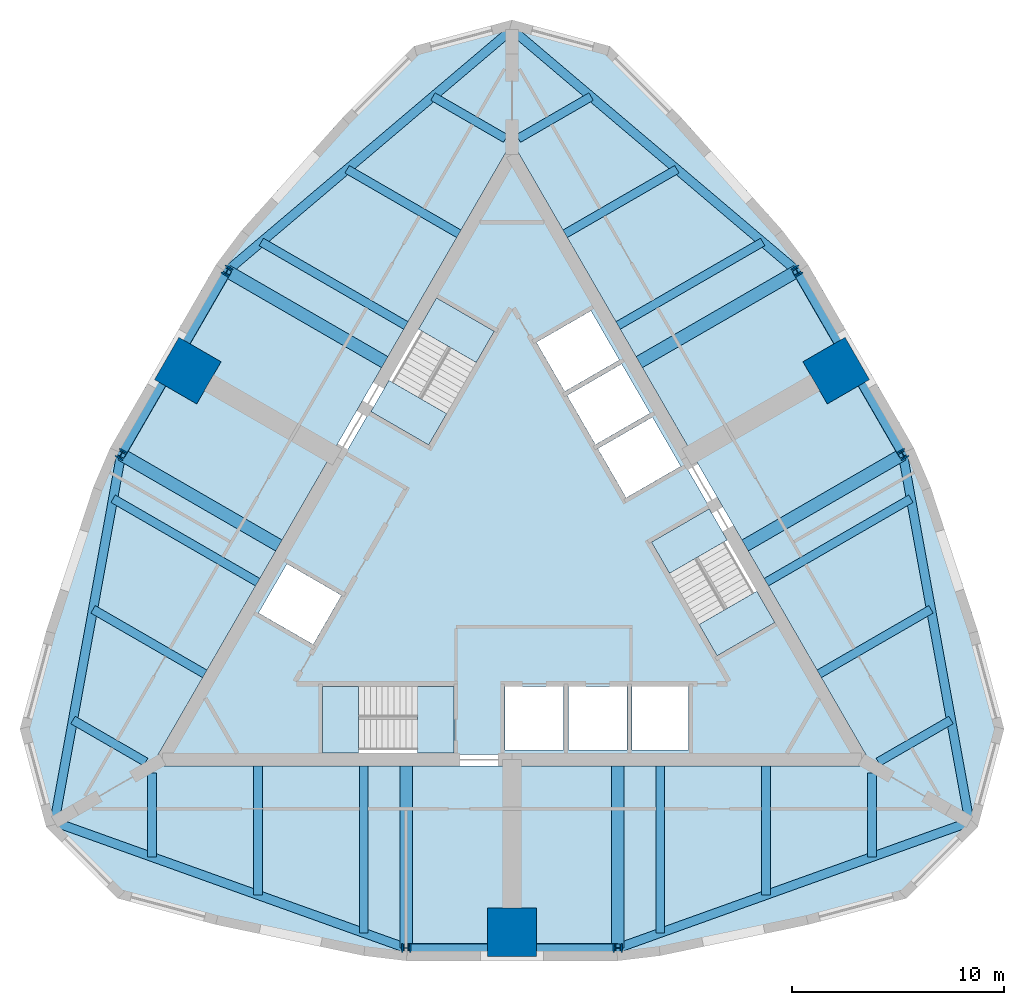
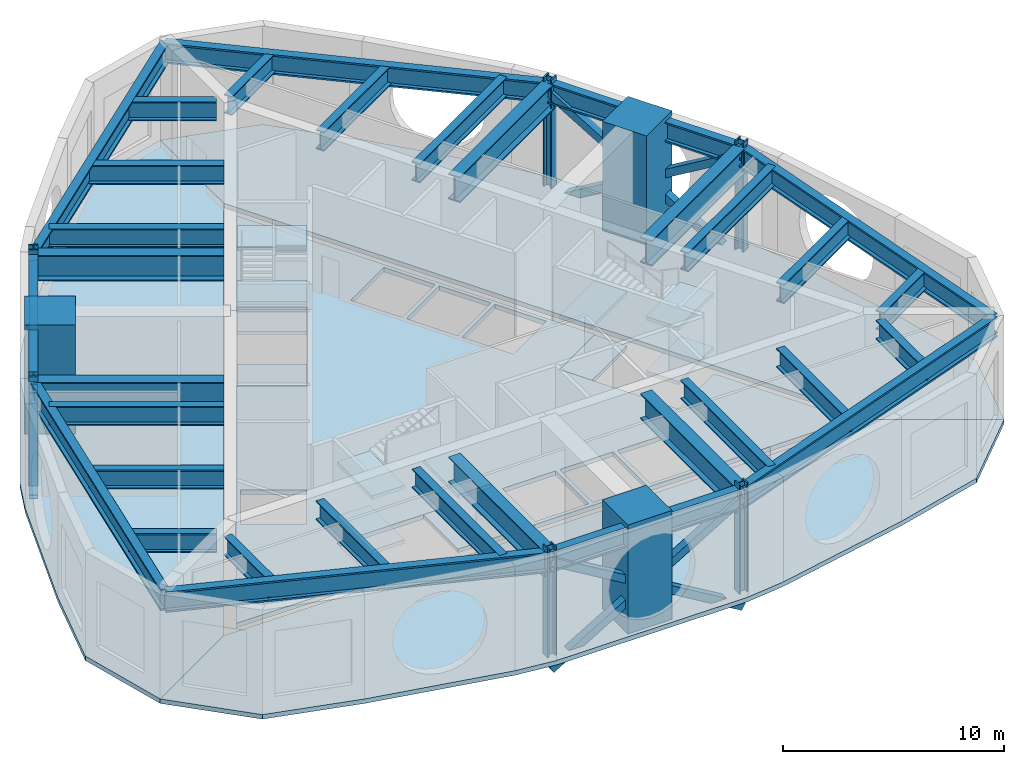
# One storey, part 1 of 6: 33 beams, 16 slabs, 9 columns, 6 members, 3 elements without a shape of their own.
"""IFC4 building model written with IfcOpenShell, lengths in metres."""

from ifc_helpers import new_model, si_unit, direction, frame, origin, origin_2d, place, context, subcontext, project, spatial, polyline, rectangle, hollow_rectangle, i_section, outline, extrude, material, layer, layer_set, material_profile, profile_set, type_object, element, aggregate, save


model = new_model("IFC4")

# Units and contexts
model_context = context("Model", 3, precision=1e-05, world=origin(), true_north=direction((0.0, 1.0)))
body_context = subcontext(model_context, "Body", "Model", "MODEL_VIEW")
ifc_project = project(units=[si_unit("LENGTHUNIT", "METRE"), si_unit("AREAUNIT", "SQUARE_METRE"), si_unit("VOLUMEUNIT", "CUBIC_METRE"), si_unit("PLANEANGLEUNIT", "RADIAN"), si_unit("MASSUNIT", "GRAM", prefix="KILO")], contexts=[model_context])

# Site, building, storey
site_placement = place(None, origin())
site = spatial("IfcSite", under=ifc_project, at=site_placement, CompositionType="ELEMENT")
building_placement = place(site_placement, origin())
building = spatial("IfcBuilding", under=site, at=building_placement, Name="Trikona Tower", CompositionType="ELEMENT")
storey_placement = place(building_placement, frame((0.0, 0.0, 275.300048828125)))
storey = spatial("IfcBuildingStorey", under=building, at=storey_placement, Name="L73", CompositionType="ELEMENT", Elevation=275.300048828125)

# Columns
ifc_material_1 = material(Name="Concrete f'c 10000 psi with encased steel section", Category="concrete")
ifc_material_profile_1 = material_profile(ifc_material_1, rectangle(XDim=2.300048828125, YDim=2.300048828125, at=origin_2d()), Name="MC2300")
ifc_profile_set_1 = profile_set([ifc_material_profile_1], Name="Concrete f'c 10000 psi with encased steel section")
column_type_1 = type_object("IfcColumnType", Name="Composite mega column 2300x2300", PredefinedType="COLUMN", material=ifc_profile_set_1)
for number, where, z_axis, x_axis, name in (
    (1, (0.0, -17.680419921875, 0.0), (0.0, 0.0, 1.0), (0.0, -1.0, 0.0), "Mega column MC1"),
    (2, (15.311767578125, 8.84033203125, 0.0), (0.0, 0.0, 1.0), (0.866025403784, 0.5, 0.0), "Mega column MC2"),
    (3, (-15.311767578125, 8.84033203125, 0.0), (0.0, 0.0, 1.0), (-0.866025403784, 0.5, 0.0), "Mega column MC3"),
):
    element("IfcColumn", number, at=place(storey_placement, frame(where, z_axis=z_axis, x_axis=x_axis)), inside=storey, type_object=column_type_1, Name=name, PredefinedType="COLUMN", context=body_context, shape_type="SweptSolid", body=[
        extrude(rectangle(XDim=2.300048828125, YDim=2.300048828125, at=origin_2d()), origin(), (0.0, 0.0, 1.0), 6.0),
    ])
ifc_material_2 = material(Name="Steel ASTM A992 Grade 50", Category="steel")
ifc_material_profile_2 = material_profile(ifc_material_2, i_section(OverallWidth=0.419189453125, OverallDepth=0.45458984375, WebThickness=0.042236328125, FlangeThickness=0.067626953125, at=origin_2d()), Name="W14X370")
ifc_profile_set_2 = profile_set([ifc_material_profile_2], Name="Steel ASTM A992 Grade 50")
column_type_2 = type_object("IfcColumnType", Name="Steel column W14x370", PredefinedType="COLUMN", material=ifc_profile_set_2)
for number, where, z_axis, x_axis, name in (
    (4, (-5.0, -18.430419921875, 0.0), (0.0, 0.0, 1.0), (0.0, -1.0, 0.0), "Column F0m5"),
    (5, (5.0, -18.430419921875, 0.0), (0.0, 0.0, 1.0), (0.0, -1.0, 0.0), "Column F0p5"),
    (6, (18.461181640625, 4.885009765625, 0.0), (0.0, 0.0, 1.0), (0.866025403784, 0.5, 0.0), "Column F1m5"),
    (7, (13.461181640625, 13.54541015625, 0.0), (0.0, 0.0, 1.0), (0.866025403784, 0.5, 0.0), "Column F1p5"),
    (8, (-13.461181640625, 13.54541015625, 0.0), (0.0, 0.0, 1.0), (-0.866025403784, 0.5, 0.0), "Column F2m5"),
    (9, (-18.461181640625, 4.885009765625, 0.0), (0.0, 0.0, 1.0), (-0.866025403784, 0.5, 0.0), "Column F2p5"),
):
    element("IfcColumn", number, at=place(storey_placement, frame(where, z_axis=z_axis, x_axis=x_axis)), inside=storey, type_object=column_type_2, Name=name, PredefinedType="COLUMN", context=body_context, shape_type="SweptSolid", body=[
        extrude(i_section(OverallWidth=0.419189453125, OverallDepth=0.45458984375, WebThickness=0.042236328125, FlangeThickness=0.067626953125, at=origin_2d()), origin(), (0.0, 0.0, 1.0), 6.0),
    ])

# Members
ifc_material_3 = material(Name="Steel ASTM A500 Grade C", Category="steel")
ifc_material_profile_3 = material_profile(ifc_material_3, hollow_rectangle(XDim=0.406494140625, YDim=0.406494140625, WallThickness=0.0146484375, at=origin_2d()), Name="HSS16X16X5/8")
ifc_profile_set_3 = profile_set([ifc_material_profile_3], Name="Steel ASTM A500 Grade C")
member_type = type_object("IfcMemberType", Name="Belt truss diagonal HSS16x16x5/8", PredefinedType="BRACE", material=ifc_profile_set_3)
for number, where, z_axis, x_axis, name in (
    (10, (-5.0, -18.430419921875, -0.770751953125), (0.858739069457, 0.0, 0.512413124917), (0.0, 1.0, 0.0), "Belt truss diagonal L73 F1-2a"),
    (11, (5.0, -18.430419921875, -0.770751953125), (-0.858739069457, 0.0, 0.512413124917), (0.0, -1.0, 0.0), "Belt truss diagonal L73 F1-2b"),
    (12, (18.461181640625, 4.885009765625, -0.770751953125), (-0.429365521602, 0.743695466201, 0.512408335619), (-0.866029062534, -0.499993662806, 0.0), "Belt truss diagonal L73 F2-2a"),
    (13, (13.461181640625, 13.54541015625, -0.770751953125), (0.429365521602, -0.743695466201, 0.512408335619), (0.866029062534, 0.499993662806, 0.0), "Belt truss diagonal L73 F2-2b"),
    (14, (-13.461181640625, 13.54541015625, -0.770751953125), (-0.429365521602, -0.743695466201, 0.512408335619), (0.866029062534, -0.499993662806, 0.0), "Belt truss diagonal L73 F3-2a"),
    (15, (-18.461181640625, 4.885009765625, -0.770751953125), (0.429365521602, 0.743695466201, 0.512408335619), (-0.866029062534, 0.499993662806, 0.0), "Belt truss diagonal L73 F3-2b"),
):
    element("IfcMember", number, at=place(storey_placement, frame(where, z_axis=z_axis, x_axis=x_axis)), inside=storey, type_object=member_type, Name=name, PredefinedType="BRACE", context=body_context, shape_type="SweptSolid", body=[
        extrude(hollow_rectangle(XDim=0.406494140625, YDim=0.406494140625, WallThickness=0.0146484375, at=origin_2d()), origin(), (0.0, 0.0, 1.0), 11.64501953125),
    ])

# Beams
ifc_material_4 = material(Name="Steel ASTM A992 Grade 50", Category="steel")
ifc_material_profile_4 = material_profile(ifc_material_4, i_section(OverallWidth=0.60009765625, OverallDepth=1.39990234375, WebThickness=0.044921875, FlangeThickness=0.06005859375, at=origin_2d()), Name="PG1400X600")
ifc_profile_set_4 = profile_set([ifc_material_profile_4], Name="Steel ASTM A992 Grade 50")
beam_type_1 = type_object("IfcBeamType", Name="Steel beam PG1400x600 (transfer)", PredefinedType="USERDEFINED", material=ifc_profile_set_4)
for number, where, z_axis, x_axis, name in (
    (16, (-5.0, -9.826416015625, 5.050048828125), (0.0, -1.0, 0.0), (1.0, 0.0, 0.0), "Transfer girder L74 F1 u-5"),
    (17, (5.0, -9.826416015625, 5.050048828125), (0.0, -1.0, 0.0), (1.0, 0.0, 0.0), "Transfer girder L74 F1 u5"),
    (18, (11.009765625, 0.5830078125, 5.050048828125), (0.866029182723, 0.49999345463, 0.0), (-0.49999345463, 0.866029182723, 0.0), "Transfer girder L74 F2 u-5"),
    (19, (6.009765625, 9.243408203125, 5.050048828125), (0.866029182723, 0.49999345463, 0.0), (-0.49999345463, 0.866029182723, 0.0), "Transfer girder L74 F2 u5"),
    (20, (-6.009765625, 9.243408203125, 5.050048828125), (-0.866029182723, 0.49999345463, 0.0), (-0.49999345463, -0.866029182723, 0.0), "Transfer girder L74 F3 u-5"),
    (21, (-11.009765625, 0.5830078125, 5.050048828125), (-0.866029182723, 0.49999345463, 0.0), (-0.49999345463, -0.866029182723, 0.0), "Transfer girder L74 F3 u5"),
):
    element("IfcBeam", number, at=place(storey_placement, frame(where, z_axis=z_axis, x_axis=x_axis)), inside=storey, type_object=beam_type_1, Name=name, ObjectType="TRANSFER GIRDER", PredefinedType="USERDEFINED", context=body_context, shape_type="SweptSolid", body=[
        extrude(i_section(OverallWidth=0.60009765625, OverallDepth=1.39990234375, WebThickness=0.044921875, FlangeThickness=0.06005859375, at=origin_2d()), origin(), (0.0, 0.0, 1.0), 8.60400390625),
    ])
ifc_material_5 = material(Name="Steel ASTM A992 Grade 50", Category="steel")
ifc_material_profile_5 = material_profile(ifc_material_5, i_section(OverallWidth=0.408935546875, OverallDepth=1.04150390625, WebThickness=0.031005859375, FlangeThickness=0.055908203125, at=origin_2d()), Name="W40X397")
ifc_profile_set_5 = profile_set([ifc_material_profile_5], Name="Steel ASTM A992 Grade 50")
beam_type_2 = type_object("IfcBeamType", Name="Steel beam W40x397 (plant)", PredefinedType="BEAM", material=ifc_profile_set_5)
for number, where, z_axis, x_axis, name in (
    (22, (-7.0, -9.826416015625, 5.229248046875), (0.0, -1.0, 0.0), (1.0, 0.0, 0.0), "Floor beam L74 F1 u-7"),
    (23, (7.0, -9.826416015625, 5.229248046875), (0.0, -1.0, 0.0), (1.0, 0.0, 0.0), "Floor beam L74 F1 u7"),
):
    element("IfcBeam", number, at=place(storey_placement, frame(where, z_axis=z_axis, x_axis=x_axis)), inside=storey, type_object=beam_type_2, Name=name, PredefinedType="BEAM", context=body_context, shape_type="SweptSolid", body=[
        extrude(i_section(OverallWidth=0.408935546875, OverallDepth=1.04150390625, WebThickness=0.031005859375, FlangeThickness=0.055908203125, at=origin_2d()), origin(), (0.0, 0.0, 1.0), 7.88720703125),
    ])
for number, where, z_axis, x_axis, name in (
    (24, (12.009765625, -1.14892578125, 5.229248046875), (0.866034560358, 0.499984140014, 0.0), (-0.499984140014, 0.866034560358, 0.0), "Floor beam L74 F2 u-7"),
    (25, (5.009765625, 10.975341796875, 5.229248046875), (0.866034560358, 0.499984140014, 0.0), (-0.499984140014, 0.866034560358, 0.0), "Floor beam L74 F2 u7"),
    (26, (-5.009765625, 10.975341796875, 5.229248046875), (-0.866034560358, 0.499984140014, 0.0), (-0.499984140014, -0.866034560358, 0.0), "Floor beam L74 F3 u-7"),
    (27, (-12.009765625, -1.14892578125, 5.229248046875), (-0.866034560358, 0.499984140014, 0.0), (-0.499984140014, -0.866034560358, 0.0), "Floor beam L74 F3 u7"),
):
    element("IfcBeam", number, at=place(storey_placement, frame(where, z_axis=z_axis, x_axis=x_axis)), inside=storey, type_object=beam_type_2, Name=name, PredefinedType="BEAM", context=body_context, shape_type="SweptSolid", body=[
        extrude(i_section(OverallWidth=0.408935546875, OverallDepth=1.04150390625, WebThickness=0.031005859375, FlangeThickness=0.055908203125, at=origin_2d()), origin(), (0.0, 0.0, 1.0), 7.887451171875),
    ])
ifc_material_6 = material(Name="Steel ASTM A992 Grade 50", Category="steel")
ifc_material_profile_6 = material_profile(ifc_material_6, i_section(OverallWidth=0.411376953125, OverallDepth=1.049072265625, WebThickness=0.033935546875, FlangeThickness=0.06005859375, at=origin_2d()), Name="W40X431")
ifc_profile_set_6 = profile_set([ifc_material_profile_6], Name="Steel ASTM A992 Grade 50")
beam_type_3 = type_object("IfcBeamType", Name="Steel beam W40x431 (plant wedge)", PredefinedType="BEAM", material=ifc_profile_set_6)
beam_1_placement = place(storey_placement, frame((-17.0, -10.161376953125, 5.225341796875), z_axis=(0.0, -1.0, 0.0), x_axis=(1.0, 0.0, 0.0)))
element("IfcBeam", 28, at=beam_1_placement, inside=storey, type_object=beam_type_3, Name="Floor beam L74 F1 u-17", PredefinedType="BEAM", context=body_context, shape_type="SweptSolid", body=[
    extrude(i_section(OverallWidth=0.411376953125, OverallDepth=1.049072265625, WebThickness=0.033935546875, FlangeThickness=0.06005859375, at=origin_2d()), origin(), (0.0, 0.0, 1.0), 3.9677734375),
])
for number, where, z_axis, x_axis, name in (
    (29, (-12.0, -9.826416015625, 5.225341796875), (0.0, -1.0, 0.0), (1.0, 0.0, 0.0), "Floor beam L74 F1 u-12"),
    (30, (12.0, -9.826416015625, 5.225341796875), (0.0, -1.0, 0.0), (1.0, 0.0, 0.0), "Floor beam L74 F1 u12"),
):
    element("IfcBeam", number, at=place(storey_placement, frame(where, z_axis=z_axis, x_axis=x_axis)), inside=storey, type_object=beam_type_3, Name=name, PredefinedType="BEAM", context=body_context, shape_type="SweptSolid", body=[
        extrude(i_section(OverallWidth=0.411376953125, OverallDepth=1.049072265625, WebThickness=0.033935546875, FlangeThickness=0.06005859375, at=origin_2d()), origin(), (0.0, 0.0, 1.0), 6.094970703125),
    ])
for number, where, z_axis, x_axis, name in (
    (31, (17.0, -10.161376953125, 5.225341796875), (0.0, -1.0, 0.0), (1.0, 0.0, 0.0), "Floor beam L74 F1 u17"),
    (32, (17.300048828125, -9.6416015625, 5.225341796875), (0.866030866614, 0.499990537983, 0.0), (-0.499990537983, 0.866030866614, 0.0), "Floor beam L74 F2 u-17"),
):
    element("IfcBeam", number, at=place(storey_placement, frame(where, z_axis=z_axis, x_axis=x_axis)), inside=storey, type_object=beam_type_3, Name=name, PredefinedType="BEAM", context=body_context, shape_type="SweptSolid", body=[
        extrude(i_section(OverallWidth=0.411376953125, OverallDepth=1.049072265625, WebThickness=0.033935546875, FlangeThickness=0.06005859375, at=origin_2d()), origin(), (0.0, 0.0, 1.0), 3.9677734375),
    ])
for number, where, z_axis, x_axis, name in (
    (33, (14.509765625, -5.479248046875, 5.225341796875), (0.866023498866, 0.500003299401, 0.0), (-0.500003299401, 0.866023498866, 0.0), "Floor beam L74 F2 u-12"),
    (34, (2.509765625, 15.305419921875, 5.225341796875), (0.866023498866, 0.500003299401, 0.0), (-0.500003299401, 0.866023498866, 0.0), "Floor beam L74 F2 u12"),
):
    element("IfcBeam", number, at=place(storey_placement, frame(where, z_axis=z_axis, x_axis=x_axis)), inside=storey, type_object=beam_type_3, Name=name, PredefinedType="BEAM", context=body_context, shape_type="SweptSolid", body=[
        extrude(i_section(OverallWidth=0.411376953125, OverallDepth=1.049072265625, WebThickness=0.033935546875, FlangeThickness=0.06005859375, at=origin_2d()), origin(), (0.0, 0.0, 1.0), 6.09521484375),
    ])
for number, where, z_axis, x_axis, name in (
    (35, (0.300048828125, 19.802978515625, 5.225341796875), (0.866004223388, 0.500036683728, 0.0), (-0.500036683728, 0.866004223388, 0.0), "Floor beam L74 F2 u17"),
    (36, (-0.300048828125, 19.802978515625, 5.225341796875), (-0.866004223388, 0.500036683728, 0.0), (-0.500036683728, -0.866004223388, 0.0), "Floor beam L74 F3 u-17"),
):
    element("IfcBeam", number, at=place(storey_placement, frame(where, z_axis=z_axis, x_axis=x_axis)), inside=storey, type_object=beam_type_3, Name=name, PredefinedType="BEAM", context=body_context, shape_type="SweptSolid", body=[
        extrude(i_section(OverallWidth=0.411376953125, OverallDepth=1.049072265625, WebThickness=0.033935546875, FlangeThickness=0.06005859375, at=origin_2d()), origin(), (0.0, 0.0, 1.0), 3.968017578125),
    ])
for number, where, z_axis, x_axis, name in (
    (37, (-2.509765625, 15.305419921875, 5.225341796875), (-0.866023498866, 0.500003299401, 0.0), (-0.500003299401, -0.866023498866, 0.0), "Floor beam L74 F3 u-12"),
    (38, (-14.509765625, -5.479248046875, 5.225341796875), (-0.866023498866, 0.500003299401, 0.0), (-0.500003299401, -0.866023498866, 0.0), "Floor beam L74 F3 u12"),
):
    element("IfcBeam", number, at=place(storey_placement, frame(where, z_axis=z_axis, x_axis=x_axis)), inside=storey, type_object=beam_type_3, Name=name, PredefinedType="BEAM", context=body_context, shape_type="SweptSolid", body=[
        extrude(i_section(OverallWidth=0.411376953125, OverallDepth=1.049072265625, WebThickness=0.033935546875, FlangeThickness=0.06005859375, at=origin_2d()), origin(), (0.0, 0.0, 1.0), 6.09521484375),
    ])
beam_2_placement = place(storey_placement, frame((-17.300048828125, -9.6416015625, 5.225341796875), z_axis=(-0.866030866614, 0.499990537983, 0.0), x_axis=(-0.499990537983, -0.866030866614, 0.0)))
element("IfcBeam", 39, at=beam_2_placement, inside=storey, type_object=beam_type_3, Name="Floor beam L74 F3 u17", PredefinedType="BEAM", context=body_context, shape_type="SweptSolid", body=[
    extrude(i_section(OverallWidth=0.411376953125, OverallDepth=1.049072265625, WebThickness=0.033935546875, FlangeThickness=0.06005859375, at=origin_2d()), origin(), (0.0, 0.0, 1.0), 3.9677734375),
])
ifc_material_7 = material(Name="Steel ASTM A992 Grade 50", Category="steel")
ifc_material_profile_7 = material_profile(ifc_material_7, i_section(OverallWidth=0.42919921875, OverallDepth=1.107421875, WebThickness=0.050048828125, FlangeThickness=0.08984375, at=origin_2d()), Name="W40X655")
ifc_profile_set_7 = profile_set([ifc_material_profile_7], Name="Steel ASTM A992 Grade 50")
beam_type_4 = type_object("IfcBeamType", Name="Steel beam W40x655 (top spandrel)", PredefinedType="BEAM", material=ifc_profile_set_7)
beam_3_placement = place(storey_placement, frame((-21.6103515625, -12.476806640625, 5.1962890625), z_axis=(0.941358144832, -0.337409014637, 0.0), x_axis=(0.337409014637, 0.941358144832, 0.0)))
element("IfcBeam", 40, at=beam_3_placement, inside=storey, type_object=beam_type_4, Name="Spandrel beam L74 F1-1", PredefinedType="BEAM", context=body_context, shape_type="SweptSolid", body=[
    extrude(i_section(OverallWidth=0.42919921875, OverallDepth=1.107421875, WebThickness=0.050048828125, FlangeThickness=0.08984375, at=origin_2d()), origin(), (0.0, 0.0, 1.0), 17.64501953125),
])
beam_4_placement = place(storey_placement, frame((-5.0, -18.430419921875, 5.1962890625), z_axis=(1.0, 0.0, 0.0), x_axis=(0.0, 1.0, 0.0)))
element("IfcBeam", 41, at=beam_4_placement, inside=storey, type_object=beam_type_4, Name="Spandrel beam L74 F1-2", PredefinedType="BEAM", context=body_context, shape_type="SweptSolid", body=[
    extrude(i_section(OverallWidth=0.42919921875, OverallDepth=1.107421875, WebThickness=0.050048828125, FlangeThickness=0.08984375, at=origin_2d()), origin(), (0.0, 0.0, 1.0), 10.0),
])
for number, where, z_axis, x_axis, name in (
    (42, (5.0, -18.430419921875, 5.1962890625), (0.941358144832, 0.337409014637, 0.0), (-0.337409014637, 0.941358144832, 0.0), "Spandrel beam L74 F1-3"),
    (43, (21.6103515625, -12.476806640625, 5.1962890625), (-0.178472662054, 0.983944870864, 0.0), (-0.983944870864, -0.178472662054, 0.0), "Spandrel beam L74 F2-1"),
):
    element("IfcBeam", number, at=place(storey_placement, frame(where, z_axis=z_axis, x_axis=x_axis)), inside=storey, type_object=beam_type_4, Name=name, PredefinedType="BEAM", context=body_context, shape_type="SweptSolid", body=[
        extrude(i_section(OverallWidth=0.42919921875, OverallDepth=1.107421875, WebThickness=0.050048828125, FlangeThickness=0.08984375, at=origin_2d()), origin(), (0.0, 0.0, 1.0), 17.64501953125),
    ])
beam_5_placement = place(storey_placement, frame((18.461181640625, 4.885009765625, 5.1962890625), z_axis=(-0.499993662806, 0.866029062534, 0.0), x_axis=(-0.866029062534, -0.499993662806, 0.0)))
element("IfcBeam", 44, at=beam_5_placement, inside=storey, type_object=beam_type_4, Name="Spandrel beam L74 F2-2", PredefinedType="BEAM", context=body_context, shape_type="SweptSolid", body=[
    extrude(i_section(OverallWidth=0.42919921875, OverallDepth=1.107421875, WebThickness=0.050048828125, FlangeThickness=0.08984375, at=origin_2d()), origin(), (0.0, 0.0, 1.0), 10.000244140625),
])
for number, where, z_axis, x_axis, name in (
    (45, (13.461181640625, 13.54541015625, 5.1962890625), (-0.762890626803, 0.646527564405, 0.0), (-0.646527564405, -0.762890626803, 0.0), "Spandrel beam L74 F2-3"),
    (46, (0.0, 24.953369140625, 5.1962890625), (-0.762890626803, -0.646527564405, 0.0), (0.646527564405, -0.762890626803, 0.0), "Spandrel beam L74 F3-1"),
):
    element("IfcBeam", number, at=place(storey_placement, frame(where, z_axis=z_axis, x_axis=x_axis)), inside=storey, type_object=beam_type_4, Name=name, PredefinedType="BEAM", context=body_context, shape_type="SweptSolid", body=[
        extrude(i_section(OverallWidth=0.42919921875, OverallDepth=1.107421875, WebThickness=0.050048828125, FlangeThickness=0.08984375, at=origin_2d()), origin(), (0.0, 0.0, 1.0), 17.64501953125),
    ])
beam_6_placement = place(storey_placement, frame((-13.461181640625, 13.54541015625, 5.1962890625), z_axis=(-0.499993662806, -0.866029062534, 0.0), x_axis=(0.866029062534, -0.499993662806, 0.0)))
element("IfcBeam", 47, at=beam_6_placement, inside=storey, type_object=beam_type_4, Name="Spandrel beam L74 F3-2", PredefinedType="BEAM", context=body_context, shape_type="SweptSolid", body=[
    extrude(i_section(OverallWidth=0.42919921875, OverallDepth=1.107421875, WebThickness=0.050048828125, FlangeThickness=0.08984375, at=origin_2d()), origin(), (0.0, 0.0, 1.0), 10.000244140625),
])
beam_7_placement = place(storey_placement, frame((-18.461181640625, 4.885009765625, 5.1962890625), z_axis=(-0.178472662054, -0.983944870864, 0.0), x_axis=(0.983944870864, -0.178472662054, 0.0)))
element("IfcBeam", 48, at=beam_7_placement, inside=storey, type_object=beam_type_4, Name="Spandrel beam L74 F3-3", PredefinedType="BEAM", context=body_context, shape_type="SweptSolid", body=[
    extrude(i_section(OverallWidth=0.42919921875, OverallDepth=1.107421875, WebThickness=0.050048828125, FlangeThickness=0.08984375, at=origin_2d()), origin(), (0.0, 0.0, 1.0), 17.64501953125),
])

# Slabs
ifc_material_8 = material(Name="Concrete f'c 5000 psi lightweight on composite steel deck", Category="concrete")
ifc_layer_1 = layer(ifc_material_8, 0.25)
ifc_layer_set_1 = layer_set([ifc_layer_1], Name="Composite floor slab 250")
slab_type_1 = type_object("IfcSlabType", Name="Composite floor slab 250", PredefinedType="FLOOR", material=ifc_layer_set_1)
slab_1_placement = place(storey_placement, frame((0.0, 0.0, -0.25)))
element("IfcSlab", 49, at=slab_1_placement, inside=storey, type_object=slab_type_1, Name="Floor slab L73 core", PredefinedType="FLOOR", context=body_context, shape_type="SweptSolid", body=[
    extrude(outline(polyline([(-16.06689453125, -9.2763671875), (-8.949951171875, -9.2763671875), (-8.949951171875, -6.076416015625), (-2.75, -6.076416015625), (-2.75, -9.2763671875), (16.06689453125, -9.2763671875), (12.45849609375, -3.026123046875), (9.687255859375, -4.626220703125), (6.587158203125, 0.7431640625), (9.3583984375, 2.34326171875), (0.0, 18.552490234375), (-3.6083984375, 12.302490234375), (-0.837158203125, 10.702392578125), (-3.937255859375, 5.3330078125), (-6.70849609375, 6.93310546875), (-16.06689453125, -9.2763671875)]), holes=[polyline([(5.659912109375, -6.086181640625), (5.659912109375, -9.06640625), (8.340087890625, -9.06640625), (8.340087890625, -6.086181640625), (5.659912109375, -6.086181640625)]), polyline([(6.631591796875, 6.646240234375), (4.05078125, 5.15625), (5.390869140625, 2.835205078125), (7.9716796875, 4.3251953125), (6.631591796875, 6.646240234375)]), polyline([(6.521484375, 6.8369140625), (5.181640625, 9.15771484375), (2.600830078125, 7.667724609375), (3.94091796875, 5.3466796875), (6.521484375, 6.8369140625)]), polyline([(2.659912109375, -9.06640625), (5.43994140625, -9.06640625), (5.43994140625, -6.086181640625), (2.659912109375, -6.086181640625), (2.659912109375, -9.06640625)]), polyline([(2.490966796875, 7.858154296875), (5.071533203125, 9.34814453125), (3.731689453125, 11.669189453125), (1.15087890625, 10.17919921875), (2.490966796875, 7.858154296875)]), polyline([(2.43994140625, -9.06640625), (2.43994140625, -6.086181640625), (-0.340087890625, -6.086181640625), (-0.340087890625, -9.06640625), (2.43994140625, -9.06640625)]), polyline([(-11.9716796875, -2.602783203125), (-9.390869140625, -4.093017578125), (-8.05078125, -1.77197265625), (-10.631591796875, -0.281982421875), (-11.9716796875, -2.602783203125)])]), origin(), (0.0, 0.0, 1.0), 0.25),
])
slab_2_placement = place(storey_placement, frame((0.0, 0.0, -0.25)))
element("IfcSlab", 50, at=slab_2_placement, inside=storey, type_object=slab_type_1, Name="Floor slab L73 south", PredefinedType="FLOOR", context=body_context, shape_type="SweptSolid", body=[
    extrude(outline(polyline([(18.618896484375, -16.0830078125), (22.0, -12.70166015625), (17.01953125, -9.826416015625), (-17.01953125, -9.826416015625), (-22.0, -12.70166015625), (-18.618896484375, -16.0830078125), (-14.0, -17.320556640625), (-7.0, -18.79052734375), (-5.0, -19.030517578125), (5.0, -19.030517578125), (7.0, -18.79052734375), (14.0, -17.320556640625), (18.618896484375, -16.0830078125)])), origin(), (0.0, 0.0, 1.0), 0.25),
])
slab_3_placement = place(storey_placement, frame((0.0, 0.0, -0.25)))
element("IfcSlab", 51, at=slab_3_placement, inside=storey, type_object=slab_type_1, Name="Floor slab L73 north-east", PredefinedType="FLOOR", context=body_context, shape_type="SweptSolid", body=[
    extrude(outline(polyline([(4.618896484375, 24.165771484375), (0.0, 25.4033203125), (0.0, 19.652587890625), (17.01953125, -9.826416015625), (22.0, -12.70166015625), (23.237548828125, -8.0830078125), (22.0, -3.464111328125), (19.773193359375, 3.3330078125), (18.98095703125, 5.18505859375), (13.98095703125, 13.845458984375), (12.773193359375, 15.45751953125), (8.0, 20.78466796875), (4.618896484375, 24.165771484375)])), origin(), (0.0, 0.0, 1.0), 0.25),
])
slab_4_placement = place(storey_placement, frame((0.0, 0.0, -0.25)))
element("IfcSlab", 52, at=slab_4_placement, inside=storey, type_object=slab_type_1, Name="Floor slab L73 north-west", PredefinedType="FLOOR", context=body_context, shape_type="SweptSolid", body=[
    extrude(outline(polyline([(0.0, 19.652587890625), (0.0, 25.4033203125), (-4.618896484375, 24.165771484375), (-8.0, 20.78466796875), (-12.773193359375, 15.45751953125), (-13.98095703125, 13.845458984375), (-18.98095703125, 5.18505859375), (-19.773193359375, 3.3330078125), (-22.0, -3.464111328125), (-23.237548828125, -8.0830078125), (-22.0, -12.70166015625), (-17.01953125, -9.826416015625), (0.0, 19.652587890625)])), origin(), (0.0, 0.0, 1.0), 0.25),
])

# Stair, slabs
ifc_material_9 = material(Name="Concrete f'c 5000 psi", Category="concrete")
stair_type = type_object("IfcStairType", Name="Core stair", PredefinedType="HALF_TURN_STAIR", material=ifc_material_9)
stair_1_placement = place(storey_placement, origin())
stair_1 = element("IfcStair", 53, at=stair_1_placement, inside=storey, type_object=stair_type, Name="Stair A L73", PredefinedType="HALF_TURN_STAIR")
ifc_material_10 = material(Name="Concrete f'c 5000 psi", Category="concrete")
ifc_layer_2 = layer(ifc_material_10, 0.199951171875)
ifc_layer_set_2 = layer_set([ifc_layer_2], Name="Stair landing 200")
slab_type_2 = type_object("IfcSlabType", Name="Stair landing 200", PredefinedType="LANDING", material=ifc_layer_set_2)
slab_5_placement = place(storey_placement, frame((0.0, 0.0, -0.199951171875)))
slab_5 = element("IfcSlab", 54, at=slab_5_placement, type_object=slab_type_2, Name="ST-A landing 1", PredefinedType="LANDING", context=body_context, shape_type="SweptSolid", body=[
    extrude(outline(polyline([(-4.452880859375, -6.076416015625), (-2.75, -6.076416015625), (-2.75, -9.226318359375), (-4.452880859375, -9.226318359375), (-4.452880859375, -6.076416015625)])), origin(), (0.0, 0.0, 1.0), 0.199951171875),
])
slab_6_placement = place(storey_placement, frame((0.0, 0.0, 1.300048828125)))
slab_6 = element("IfcSlab", 55, at=slab_6_placement, type_object=slab_type_2, Name="ST-A landing 2", PredefinedType="LANDING", context=body_context, shape_type="SweptSolid", body=[
    extrude(outline(polyline([(-8.949951171875, -6.076416015625), (-7.2470703125, -6.076416015625), (-7.2470703125, -9.226318359375), (-8.949951171875, -9.226318359375), (-8.949951171875, -6.076416015625)])), origin(), (0.0, 0.0, 1.0), 0.199951171875),
])
slab_7_placement = place(storey_placement, frame((0.0, 0.0, 2.800048828125)))
slab_7 = element("IfcSlab", 56, at=slab_7_placement, type_object=slab_type_2, Name="ST-A landing 3", PredefinedType="LANDING", context=body_context, shape_type="SweptSolid", body=[
    extrude(outline(polyline([(-4.452880859375, -6.076416015625), (-2.75, -6.076416015625), (-2.75, -9.226318359375), (-4.452880859375, -9.226318359375), (-4.452880859375, -6.076416015625)])), origin(), (0.0, 0.0, 1.0), 0.199951171875),
])
slab_8_placement = place(storey_placement, frame((0.0, 0.0, 4.300048828125)))
slab_8 = element("IfcSlab", 57, at=slab_8_placement, type_object=slab_type_2, Name="ST-A landing 4", PredefinedType="LANDING", context=body_context, shape_type="SweptSolid", body=[
    extrude(outline(polyline([(-8.949951171875, -6.076416015625), (-7.2470703125, -6.076416015625), (-7.2470703125, -9.226318359375), (-8.949951171875, -9.226318359375), (-8.949951171875, -6.076416015625)])), origin(), (0.0, 0.0, 1.0), 0.199951171875),
])
aggregate(stair_1, [slab_5, slab_6, slab_7, slab_8])

stair_2_placement = place(storey_placement, origin())
stair_2 = element("IfcStair", 58, at=stair_2_placement, inside=storey, type_object=stair_type, Name="Stair B L73", PredefinedType="HALF_TURN_STAIR")
slab_9_placement = place(storey_placement, frame((0.0, 0.0, -0.199951171875)))
slab_9 = element("IfcSlab", 59, at=slab_9_placement, type_object=slab_type_2, Name="ST-B landing 1", PredefinedType="LANDING", context=body_context, shape_type="SweptSolid", body=[
    extrude(outline(polyline([(7.438720703125, -0.731689453125), (6.587158203125, 0.7431640625), (9.315185546875, 2.318115234375), (10.166748046875, 0.84326171875), (7.438720703125, -0.731689453125)])), origin(), (0.0, 0.0, 1.0), 0.199951171875),
])
slab_10_placement = place(storey_placement, frame((0.0, 0.0, 1.300048828125)))
slab_10 = element("IfcSlab", 60, at=slab_10_placement, type_object=slab_type_2, Name="ST-B landing 2", PredefinedType="LANDING", context=body_context, shape_type="SweptSolid", body=[
    extrude(outline(polyline([(9.687255859375, -4.626220703125), (8.835693359375, -3.1513671875), (11.563720703125, -1.576416015625), (12.415283203125, -3.05126953125), (9.687255859375, -4.626220703125)])), origin(), (0.0, 0.0, 1.0), 0.199951171875),
])
slab_11_placement = place(storey_placement, frame((0.0, 0.0, 2.800048828125)))
slab_11 = element("IfcSlab", 61, at=slab_11_placement, type_object=slab_type_2, Name="ST-B landing 3", PredefinedType="LANDING", context=body_context, shape_type="SweptSolid", body=[
    extrude(outline(polyline([(7.438720703125, -0.731689453125), (6.587158203125, 0.7431640625), (9.315185546875, 2.318115234375), (10.166748046875, 0.84326171875), (7.438720703125, -0.731689453125)])), origin(), (0.0, 0.0, 1.0), 0.199951171875),
])
slab_12_placement = place(storey_placement, frame((0.0, 0.0, 4.300048828125)))
slab_12 = element("IfcSlab", 62, at=slab_12_placement, type_object=slab_type_2, Name="ST-B landing 4", PredefinedType="LANDING", context=body_context, shape_type="SweptSolid", body=[
    extrude(outline(polyline([(9.687255859375, -4.626220703125), (8.835693359375, -3.1513671875), (11.563720703125, -1.576416015625), (12.415283203125, -3.05126953125), (9.687255859375, -4.626220703125)])), origin(), (0.0, 0.0, 1.0), 0.199951171875),
])
aggregate(stair_2, [slab_9, slab_10, slab_11, slab_12])

stair_3_placement = place(storey_placement, origin())
stair_3 = element("IfcStair", 63, at=stair_3_placement, inside=storey, type_object=stair_type, Name="Stair C L73", PredefinedType="HALF_TURN_STAIR")
slab_13_placement = place(storey_placement, frame((0.0, 0.0, -0.199951171875)))
slab_13 = element("IfcSlab", 64, at=slab_13_placement, type_object=slab_type_2, Name="ST-C landing 1", PredefinedType="LANDING", context=body_context, shape_type="SweptSolid", body=[
    extrude(outline(polyline([(-3.085693359375, 6.807861328125), (-3.937255859375, 5.3330078125), (-6.665283203125, 6.908203125), (-5.813720703125, 8.3828125), (-3.085693359375, 6.807861328125)])), origin(), (0.0, 0.0, 1.0), 0.199951171875),
])
slab_14_placement = place(storey_placement, frame((0.0, 0.0, 1.300048828125)))
slab_14 = element("IfcSlab", 65, at=slab_14_placement, type_object=slab_type_2, Name="ST-C landing 2", PredefinedType="LANDING", context=body_context, shape_type="SweptSolid", body=[
    extrude(outline(polyline([(-0.837158203125, 10.702392578125), (-1.688720703125, 9.2275390625), (-4.416748046875, 10.802490234375), (-3.565185546875, 12.277587890625), (-0.837158203125, 10.702392578125)])), origin(), (0.0, 0.0, 1.0), 0.199951171875),
])
slab_15_placement = place(storey_placement, frame((0.0, 0.0, 2.800048828125)))
slab_15 = element("IfcSlab", 66, at=slab_15_placement, type_object=slab_type_2, Name="ST-C landing 3", PredefinedType="LANDING", context=body_context, shape_type="SweptSolid", body=[
    extrude(outline(polyline([(-3.085693359375, 6.807861328125), (-3.937255859375, 5.3330078125), (-6.665283203125, 6.908203125), (-5.813720703125, 8.3828125), (-3.085693359375, 6.807861328125)])), origin(), (0.0, 0.0, 1.0), 0.199951171875),
])
slab_16_placement = place(storey_placement, frame((0.0, 0.0, 4.300048828125)))
slab_16 = element("IfcSlab", 67, at=slab_16_placement, type_object=slab_type_2, Name="ST-C landing 4", PredefinedType="LANDING", context=body_context, shape_type="SweptSolid", body=[
    extrude(outline(polyline([(-0.837158203125, 10.702392578125), (-1.688720703125, 9.2275390625), (-4.416748046875, 10.802490234375), (-3.565185546875, 12.277587890625), (-0.837158203125, 10.702392578125)])), origin(), (0.0, 0.0, 1.0), 0.199951171875),
])
aggregate(stair_3, [slab_13, slab_14, slab_15, slab_16])

save(model, "model.ifc")
